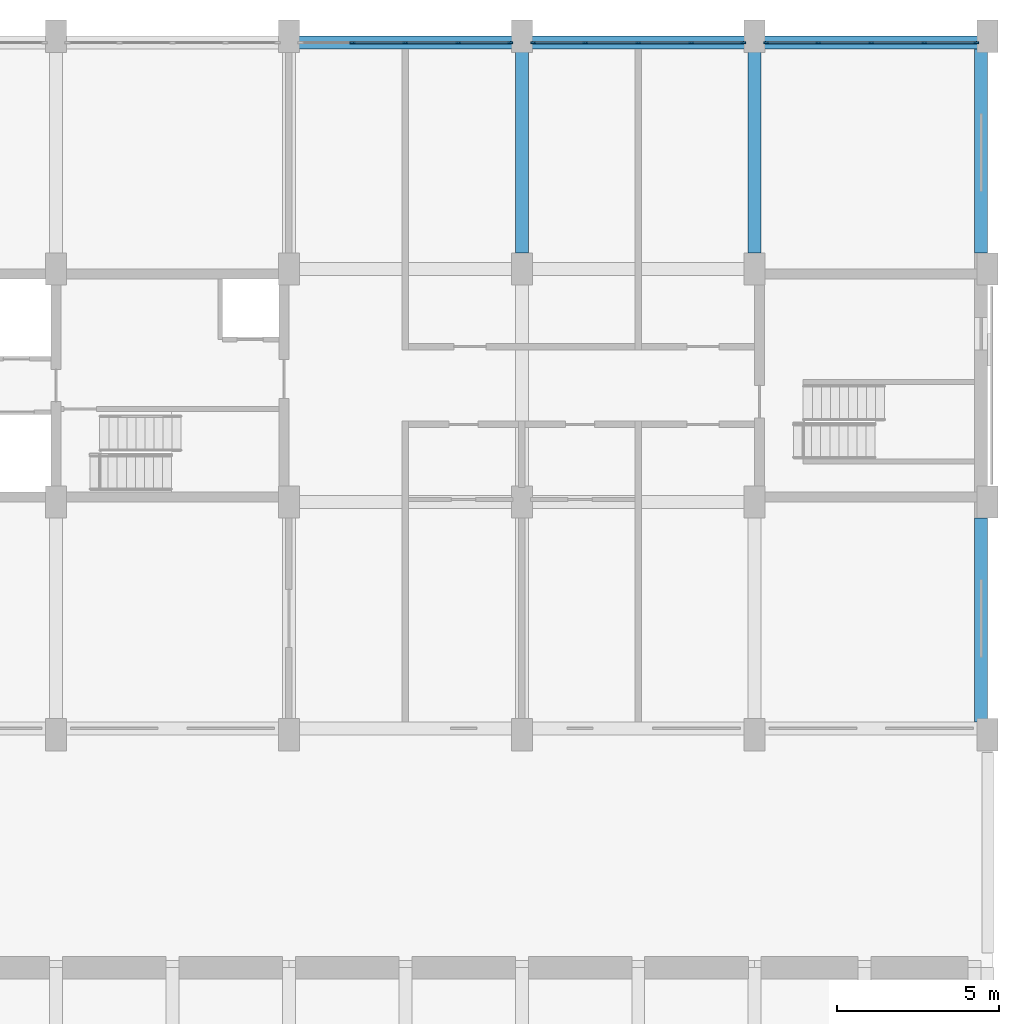
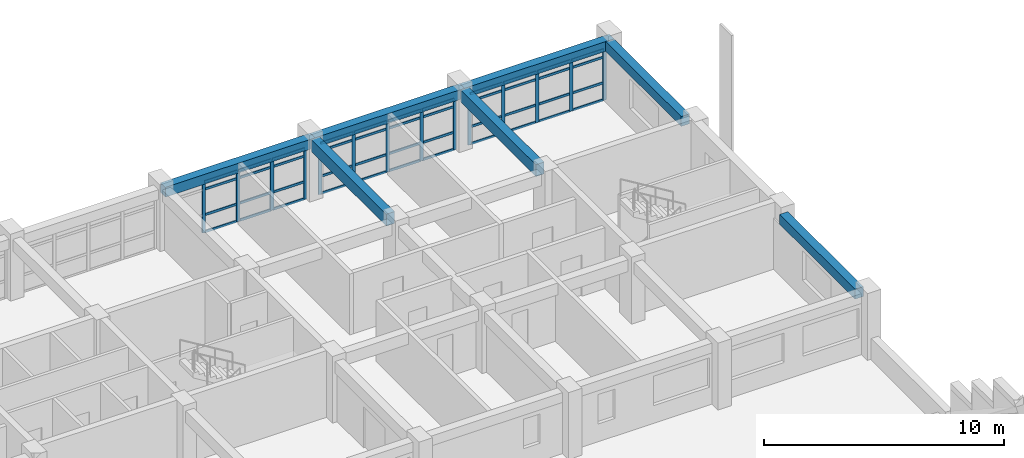
# One storey, part 14 of 31: 58 members, 7 beams, 3 elements without a shape of their own.
"""IFC4 building model written with IfcOpenShell, lengths in metres."""

from ifc_helpers import new_model, si_unit, direction, frame, origin, origin_2d, place, context, subcontext, project, spatial, rectangle, extrude, material, material_profile, profile_set, type_object, element, aggregate, save


model = new_model("IFC4")

# Units and contexts
model_context = context("Model", 3, precision=1e-05, world=origin(), true_north=direction((0.0, 1.0)))
body_context = subcontext(model_context, "Body", "Model", "MODEL_VIEW")
ifc_project = project(units=[si_unit("LENGTHUNIT", "METRE"), si_unit("AREAUNIT", "SQUARE_METRE"), si_unit("VOLUMEUNIT", "CUBIC_METRE"), si_unit("PLANEANGLEUNIT", "RADIAN"), si_unit("MASSUNIT", "GRAM", prefix="KILO")], contexts=[model_context])

# Site, building, storey
site_placement = place(None, origin())
site = spatial("IfcSite", under=ifc_project, at=site_placement, CompositionType="ELEMENT")
building_placement = place(site_placement, origin())
building = spatial("IfcBuilding", under=site, at=building_placement, Name="Vermilion Court Aquatics Centre", CompositionType="ELEMENT")
storey_placement = place(building_placement, frame((0.0, 0.0, 16.5)))
storey = spatial("IfcBuildingStorey", under=building, at=storey_placement, Name="L03", CompositionType="ELEMENT", Elevation=16.5)

# Curtain wall, members
ifc_material_1 = material(Name="Aluminium 6063-T5", Category="aluminium")
curtain_wall_type = type_object("IfcCurtainWallType", Name="North block glazed bay curtain wall 1800 module", PredefinedType="NOTDEFINED", material=ifc_material_1)
curtain_wall_1_placement = place(storey_placement, origin())
curtain_wall_1 = element("IfcCurtainWall", 1, at=curtain_wall_1_placement, inside=storey, type_object=curtain_wall_type, Name="North glazed bay 5 L03", PredefinedType="NOTDEFINED")
ifc_material_2 = material(Name="Aluminium 6063-T5", Category="aluminium")
ifc_material_profile_1 = material_profile(ifc_material_2, rectangle(XDim=0.06005859375, YDim=0.159912109375, at=origin_2d()), Name="AL 60x160")
ifc_profile_set_1 = profile_set([ifc_material_profile_1], Name="Aluminium 6063-T5")
member_type_1 = type_object("IfcMemberType", Name="North block curtain wall mullion 60x160", PredefinedType="MULLION", material=ifc_profile_set_1)
member_1_placement = place(storey_placement, frame((174.762451171875, 115.0, 0.0), z_axis=(0.0, 0.0, 1.0), x_axis=(0.0, 1.0, 0.0)))
member_1 = element("IfcMember", 2, at=member_1_placement, type_object=member_type_1, Name="UCW1 mullion 2", PredefinedType="MULLION", context=body_context, shape_type="SweptSolid", body=[
    extrude(rectangle(XDim=0.06005859375, YDim=0.159912109375, at=origin_2d()), origin(), (0.0, 0.0, 1.0), 2.60009765625),
])
member_2_placement = place(storey_placement, frame((176.39990234375, 115.0, 0.0), z_axis=(0.0, 0.0, 1.0), x_axis=(0.0, 1.0, 0.0)))
member_2 = element("IfcMember", 3, at=member_2_placement, type_object=member_type_1, Name="UCW1 mullion 3", PredefinedType="MULLION", context=body_context, shape_type="SweptSolid", body=[
    extrude(rectangle(XDim=0.06005859375, YDim=0.159912109375, at=origin_2d()), origin(), (0.0, 0.0, 1.0), 2.60009765625),
])
member_3_placement = place(storey_placement, frame((178.03759765625, 115.0, 0.0), z_axis=(0.0, 0.0, 1.0), x_axis=(0.0, 1.0, 0.0)))
member_3 = element("IfcMember", 4, at=member_3_placement, type_object=member_type_1, Name="UCW1 mullion 4", PredefinedType="MULLION", context=body_context, shape_type="SweptSolid", body=[
    extrude(rectangle(XDim=0.06005859375, YDim=0.159912109375, at=origin_2d()), origin(), (0.0, 0.0, 1.0), 2.60009765625),
])
member_4_placement = place(storey_placement, frame((179.64501953125, 115.0, 0.0), z_axis=(0.0, 0.0, 1.0), x_axis=(0.0, 1.0, 0.0)))
member_4 = element("IfcMember", 5, at=member_4_placement, type_object=member_type_1, Name="UCW1 mullion 5", PredefinedType="MULLION", context=body_context, shape_type="SweptSolid", body=[
    extrude(rectangle(XDim=0.06005859375, YDim=0.159912109375, at=origin_2d()), origin(), (0.0, 0.0, 1.0), 2.60009765625),
])

curtain_wall_2_placement = place(storey_placement, origin())
curtain_wall_2 = element("IfcCurtainWall", 6, at=curtain_wall_2_placement, inside=storey, type_object=curtain_wall_type, Name="North glazed bay 6 L03", PredefinedType="NOTDEFINED")
member_5_placement = place(storey_placement, frame((180.35498046875, 115.0, 0.0), z_axis=(0.0, 0.0, 1.0), x_axis=(0.0, 1.0, 0.0)))
member_5 = element("IfcMember", 7, at=member_5_placement, type_object=member_type_1, Name="UCW1 mullion 1", PredefinedType="MULLION", context=body_context, shape_type="SweptSolid", body=[
    extrude(rectangle(XDim=0.06005859375, YDim=0.159912109375, at=origin_2d()), origin(), (0.0, 0.0, 1.0), 2.60009765625),
])
member_6_placement = place(storey_placement, frame((181.96240234375, 115.0, 0.0), z_axis=(0.0, 0.0, 1.0), x_axis=(0.0, 1.0, 0.0)))
member_6 = element("IfcMember", 8, at=member_6_placement, type_object=member_type_1, Name="UCW1 mullion 2", PredefinedType="MULLION", context=body_context, shape_type="SweptSolid", body=[
    extrude(rectangle(XDim=0.06005859375, YDim=0.159912109375, at=origin_2d()), origin(), (0.0, 0.0, 1.0), 2.60009765625),
])
member_7_placement = place(storey_placement, frame((183.60009765625, 115.0, 0.0), z_axis=(0.0, 0.0, 1.0), x_axis=(0.0, 1.0, 0.0)))
member_7 = element("IfcMember", 9, at=member_7_placement, type_object=member_type_1, Name="UCW1 mullion 3", PredefinedType="MULLION", context=body_context, shape_type="SweptSolid", body=[
    extrude(rectangle(XDim=0.06005859375, YDim=0.159912109375, at=origin_2d()), origin(), (0.0, 0.0, 1.0), 2.60009765625),
])
member_8_placement = place(storey_placement, frame((185.237548828125, 115.0, 0.0), z_axis=(0.0, 0.0, 1.0), x_axis=(0.0, 1.0, 0.0)))
member_8 = element("IfcMember", 10, at=member_8_placement, type_object=member_type_1, Name="UCW1 mullion 4", PredefinedType="MULLION", context=body_context, shape_type="SweptSolid", body=[
    extrude(rectangle(XDim=0.06005859375, YDim=0.159912109375, at=origin_2d()), origin(), (0.0, 0.0, 1.0), 2.60009765625),
])
member_9_placement = place(storey_placement, frame((186.844970703125, 115.0, 0.0), z_axis=(0.0, 0.0, 1.0), x_axis=(0.0, 1.0, 0.0)))
member_9 = element("IfcMember", 11, at=member_9_placement, type_object=member_type_1, Name="UCW1 mullion 5", PredefinedType="MULLION", context=body_context, shape_type="SweptSolid", body=[
    extrude(rectangle(XDim=0.06005859375, YDim=0.159912109375, at=origin_2d()), origin(), (0.0, 0.0, 1.0), 2.60009765625),
])

curtain_wall_3_placement = place(storey_placement, origin())
curtain_wall_3 = element("IfcCurtainWall", 12, at=curtain_wall_3_placement, inside=storey, type_object=curtain_wall_type, Name="North glazed bay 7 L03", PredefinedType="NOTDEFINED")
member_10_placement = place(storey_placement, frame((187.554931640625, 115.0, 0.0), z_axis=(0.0, 0.0, 1.0), x_axis=(0.0, 1.0, 0.0)))
member_10 = element("IfcMember", 13, at=member_10_placement, type_object=member_type_1, Name="UCW1 mullion 1", PredefinedType="MULLION", context=body_context, shape_type="SweptSolid", body=[
    extrude(rectangle(XDim=0.06005859375, YDim=0.159912109375, at=origin_2d()), origin(), (0.0, 0.0, 1.0), 2.60009765625),
])
member_11_placement = place(storey_placement, frame((189.16259765625, 115.0, 0.0), z_axis=(0.0, 0.0, 1.0), x_axis=(0.0, 1.0, 0.0)))
member_11 = element("IfcMember", 14, at=member_11_placement, type_object=member_type_1, Name="UCW1 mullion 2", PredefinedType="MULLION", context=body_context, shape_type="SweptSolid", body=[
    extrude(rectangle(XDim=0.06005859375, YDim=0.159912109375, at=origin_2d()), origin(), (0.0, 0.0, 1.0), 2.60009765625),
])
member_12_placement = place(storey_placement, frame((190.800048828125, 115.0, 0.0), z_axis=(0.0, 0.0, 1.0), x_axis=(0.0, 1.0, 0.0)))
member_12 = element("IfcMember", 15, at=member_12_placement, type_object=member_type_1, Name="UCW1 mullion 3", PredefinedType="MULLION", context=body_context, shape_type="SweptSolid", body=[
    extrude(rectangle(XDim=0.06005859375, YDim=0.159912109375, at=origin_2d()), origin(), (0.0, 0.0, 1.0), 2.60009765625),
])
member_13_placement = place(storey_placement, frame((192.4375, 115.0, 0.0), z_axis=(0.0, 0.0, 1.0), x_axis=(0.0, 1.0, 0.0)))
member_13 = element("IfcMember", 16, at=member_13_placement, type_object=member_type_1, Name="UCW1 mullion 4", PredefinedType="MULLION", context=body_context, shape_type="SweptSolid", body=[
    extrude(rectangle(XDim=0.06005859375, YDim=0.159912109375, at=origin_2d()), origin(), (0.0, 0.0, 1.0), 2.60009765625),
])
member_14_placement = place(storey_placement, frame((194.044921875, 115.0, 0.0), z_axis=(0.0, 0.0, 1.0), x_axis=(0.0, 1.0, 0.0)))
member_14 = element("IfcMember", 17, at=member_14_placement, type_object=member_type_1, Name="UCW1 mullion 5", PredefinedType="MULLION", context=body_context, shape_type="SweptSolid", body=[
    extrude(rectangle(XDim=0.06005859375, YDim=0.159912109375, at=origin_2d()), origin(), (0.0, 0.0, 1.0), 2.60009765625),
])

# Member
ifc_material_3 = material(Name="Aluminium 6063-T5", Category="aluminium")
ifc_material_profile_2 = material_profile(ifc_material_3, rectangle(XDim=0.06005859375, YDim=0.1201171875, at=origin_2d()), Name="AL 60x120")
ifc_profile_set_2 = profile_set([ifc_material_profile_2], Name="Aluminium 6063-T5")
member_type_2 = type_object("IfcMemberType", Name="North block curtain wall transom 60x120", PredefinedType="USERDEFINED", material=ifc_profile_set_2)
member_15_placement = place(storey_placement, frame((174.79248046875, 115.0, 0.030029296875), z_axis=(1.0, 0.0, 0.0), x_axis=(0.0, 1.0, 0.0)))
member_15 = element("IfcMember", 18, at=member_15_placement, type_object=member_type_2, Name="UCW1 transom 2.1", ObjectType="TRANSOM", PredefinedType="USERDEFINED", context=body_context, shape_type="SweptSolid", body=[
    extrude(rectangle(XDim=0.06005859375, YDim=0.1201171875, at=origin_2d()), origin(), (0.0, 0.0, 1.0), 1.57763671875),
])

member_16_placement = place(storey_placement, frame((174.79248046875, 115.0, 0.89990234375), z_axis=(1.0, 0.0, 0.0), x_axis=(0.0, 1.0, 0.0)))
member_16 = element("IfcMember", 19, at=member_16_placement, type_object=member_type_2, Name="UCW1 transom 2.2", ObjectType="TRANSOM", PredefinedType="USERDEFINED", context=body_context, shape_type="SweptSolid", body=[
    extrude(rectangle(XDim=0.06005859375, YDim=0.1201171875, at=origin_2d()), origin(), (0.0, 0.0, 1.0), 1.57763671875),
])

member_17_placement = place(storey_placement, frame((174.79248046875, 115.0, 2.199951171875), z_axis=(1.0, 0.0, 0.0), x_axis=(0.0, 1.0, 0.0)))
member_17 = element("IfcMember", 20, at=member_17_placement, type_object=member_type_2, Name="UCW1 transom 2.3", ObjectType="TRANSOM", PredefinedType="USERDEFINED", context=body_context, shape_type="SweptSolid", body=[
    extrude(rectangle(XDim=0.06005859375, YDim=0.1201171875, at=origin_2d()), origin(), (0.0, 0.0, 1.0), 1.57763671875),
])

member_18_placement = place(storey_placement, frame((174.79248046875, 115.0, 2.570068359375), z_axis=(1.0, 0.0, 0.0), x_axis=(0.0, 1.0, 0.0)))
member_18 = element("IfcMember", 21, at=member_18_placement, type_object=member_type_2, Name="UCW1 transom 2.4", ObjectType="TRANSOM", PredefinedType="USERDEFINED", context=body_context, shape_type="SweptSolid", body=[
    extrude(rectangle(XDim=0.06005859375, YDim=0.1201171875, at=origin_2d()), origin(), (0.0, 0.0, 1.0), 1.57763671875),
])

member_19_placement = place(storey_placement, frame((176.429931640625, 115.0, 0.030029296875), z_axis=(1.0, 0.0, 0.0), x_axis=(0.0, 1.0, 0.0)))
member_19 = element("IfcMember", 22, at=member_19_placement, type_object=member_type_2, Name="UCW1 transom 3.1", ObjectType="TRANSOM", PredefinedType="USERDEFINED", context=body_context, shape_type="SweptSolid", body=[
    extrude(rectangle(XDim=0.06005859375, YDim=0.1201171875, at=origin_2d()), origin(), (0.0, 0.0, 1.0), 1.57763671875),
])

member_20_placement = place(storey_placement, frame((176.429931640625, 115.0, 0.89990234375), z_axis=(1.0, 0.0, 0.0), x_axis=(0.0, 1.0, 0.0)))
member_20 = element("IfcMember", 23, at=member_20_placement, type_object=member_type_2, Name="UCW1 transom 3.2", ObjectType="TRANSOM", PredefinedType="USERDEFINED", context=body_context, shape_type="SweptSolid", body=[
    extrude(rectangle(XDim=0.06005859375, YDim=0.1201171875, at=origin_2d()), origin(), (0.0, 0.0, 1.0), 1.57763671875),
])

member_21_placement = place(storey_placement, frame((176.429931640625, 115.0, 2.199951171875), z_axis=(1.0, 0.0, 0.0), x_axis=(0.0, 1.0, 0.0)))
member_21 = element("IfcMember", 24, at=member_21_placement, type_object=member_type_2, Name="UCW1 transom 3.3", ObjectType="TRANSOM", PredefinedType="USERDEFINED", context=body_context, shape_type="SweptSolid", body=[
    extrude(rectangle(XDim=0.06005859375, YDim=0.1201171875, at=origin_2d()), origin(), (0.0, 0.0, 1.0), 1.57763671875),
])

member_22_placement = place(storey_placement, frame((176.429931640625, 115.0, 2.570068359375), z_axis=(1.0, 0.0, 0.0), x_axis=(0.0, 1.0, 0.0)))
member_22 = element("IfcMember", 25, at=member_22_placement, type_object=member_type_2, Name="UCW1 transom 3.4", ObjectType="TRANSOM", PredefinedType="USERDEFINED", context=body_context, shape_type="SweptSolid", body=[
    extrude(rectangle(XDim=0.06005859375, YDim=0.1201171875, at=origin_2d()), origin(), (0.0, 0.0, 1.0), 1.57763671875),
])

member_23_placement = place(storey_placement, frame((178.0673828125, 115.0, 0.030029296875), z_axis=(1.0, 0.0, 0.0), x_axis=(0.0, 1.0, 0.0)))
member_23 = element("IfcMember", 26, at=member_23_placement, type_object=member_type_2, Name="UCW1 transom 4.1", ObjectType="TRANSOM", PredefinedType="USERDEFINED", context=body_context, shape_type="SweptSolid", body=[
    extrude(rectangle(XDim=0.06005859375, YDim=0.1201171875, at=origin_2d()), origin(), (0.0, 0.0, 1.0), 1.547607421875),
])

member_24_placement = place(storey_placement, frame((178.0673828125, 115.0, 0.89990234375), z_axis=(1.0, 0.0, 0.0), x_axis=(0.0, 1.0, 0.0)))
member_24 = element("IfcMember", 27, at=member_24_placement, type_object=member_type_2, Name="UCW1 transom 4.2", ObjectType="TRANSOM", PredefinedType="USERDEFINED", context=body_context, shape_type="SweptSolid", body=[
    extrude(rectangle(XDim=0.06005859375, YDim=0.1201171875, at=origin_2d()), origin(), (0.0, 0.0, 1.0), 1.547607421875),
])

member_25_placement = place(storey_placement, frame((178.0673828125, 115.0, 2.199951171875), z_axis=(1.0, 0.0, 0.0), x_axis=(0.0, 1.0, 0.0)))
member_25 = element("IfcMember", 28, at=member_25_placement, type_object=member_type_2, Name="UCW1 transom 4.3", ObjectType="TRANSOM", PredefinedType="USERDEFINED", context=body_context, shape_type="SweptSolid", body=[
    extrude(rectangle(XDim=0.06005859375, YDim=0.1201171875, at=origin_2d()), origin(), (0.0, 0.0, 1.0), 1.547607421875),
])

member_26_placement = place(storey_placement, frame((178.0673828125, 115.0, 2.570068359375), z_axis=(1.0, 0.0, 0.0), x_axis=(0.0, 1.0, 0.0)))
member_26 = element("IfcMember", 29, at=member_26_placement, type_object=member_type_2, Name="UCW1 transom 4.4", ObjectType="TRANSOM", PredefinedType="USERDEFINED", context=body_context, shape_type="SweptSolid", body=[
    extrude(rectangle(XDim=0.06005859375, YDim=0.1201171875, at=origin_2d()), origin(), (0.0, 0.0, 1.0), 1.547607421875),
])

aggregate(curtain_wall_1, [member_1, member_2, member_3, member_4, member_15, member_16, member_17, member_18, member_19, member_20, member_21, member_22, member_23, member_24, member_25, member_26])

member_27_placement = place(storey_placement, frame((180.385009765625, 115.0, 0.030029296875), z_axis=(1.0, 0.0, 0.0), x_axis=(0.0, 1.0, 0.0)))
member_27 = element("IfcMember", 30, at=member_27_placement, type_object=member_type_2, Name="UCW1 transom 1.1", ObjectType="TRANSOM", PredefinedType="USERDEFINED", context=body_context, shape_type="SweptSolid", body=[
    extrude(rectangle(XDim=0.06005859375, YDim=0.1201171875, at=origin_2d()), origin(), (0.0, 0.0, 1.0), 1.547607421875),
])

member_28_placement = place(storey_placement, frame((180.385009765625, 115.0, 0.89990234375), z_axis=(1.0, 0.0, 0.0), x_axis=(0.0, 1.0, 0.0)))
member_28 = element("IfcMember", 31, at=member_28_placement, type_object=member_type_2, Name="UCW1 transom 1.2", ObjectType="TRANSOM", PredefinedType="USERDEFINED", context=body_context, shape_type="SweptSolid", body=[
    extrude(rectangle(XDim=0.06005859375, YDim=0.1201171875, at=origin_2d()), origin(), (0.0, 0.0, 1.0), 1.547607421875),
])

member_29_placement = place(storey_placement, frame((180.385009765625, 115.0, 2.199951171875), z_axis=(1.0, 0.0, 0.0), x_axis=(0.0, 1.0, 0.0)))
member_29 = element("IfcMember", 32, at=member_29_placement, type_object=member_type_2, Name="UCW1 transom 1.3", ObjectType="TRANSOM", PredefinedType="USERDEFINED", context=body_context, shape_type="SweptSolid", body=[
    extrude(rectangle(XDim=0.06005859375, YDim=0.1201171875, at=origin_2d()), origin(), (0.0, 0.0, 1.0), 1.547607421875),
])

member_30_placement = place(storey_placement, frame((180.385009765625, 115.0, 2.570068359375), z_axis=(1.0, 0.0, 0.0), x_axis=(0.0, 1.0, 0.0)))
member_30 = element("IfcMember", 33, at=member_30_placement, type_object=member_type_2, Name="UCW1 transom 1.4", ObjectType="TRANSOM", PredefinedType="USERDEFINED", context=body_context, shape_type="SweptSolid", body=[
    extrude(rectangle(XDim=0.06005859375, YDim=0.1201171875, at=origin_2d()), origin(), (0.0, 0.0, 1.0), 1.547607421875),
])

member_31_placement = place(storey_placement, frame((181.992431640625, 115.0, 0.030029296875), z_axis=(1.0, 0.0, 0.0), x_axis=(0.0, 1.0, 0.0)))
member_31 = element("IfcMember", 34, at=member_31_placement, type_object=member_type_2, Name="UCW1 transom 2.1", ObjectType="TRANSOM", PredefinedType="USERDEFINED", context=body_context, shape_type="SweptSolid", body=[
    extrude(rectangle(XDim=0.06005859375, YDim=0.1201171875, at=origin_2d()), origin(), (0.0, 0.0, 1.0), 1.57763671875),
])

member_32_placement = place(storey_placement, frame((181.992431640625, 115.0, 0.89990234375), z_axis=(1.0, 0.0, 0.0), x_axis=(0.0, 1.0, 0.0)))
member_32 = element("IfcMember", 35, at=member_32_placement, type_object=member_type_2, Name="UCW1 transom 2.2", ObjectType="TRANSOM", PredefinedType="USERDEFINED", context=body_context, shape_type="SweptSolid", body=[
    extrude(rectangle(XDim=0.06005859375, YDim=0.1201171875, at=origin_2d()), origin(), (0.0, 0.0, 1.0), 1.57763671875),
])

member_33_placement = place(storey_placement, frame((181.992431640625, 115.0, 2.199951171875), z_axis=(1.0, 0.0, 0.0), x_axis=(0.0, 1.0, 0.0)))
member_33 = element("IfcMember", 36, at=member_33_placement, type_object=member_type_2, Name="UCW1 transom 2.3", ObjectType="TRANSOM", PredefinedType="USERDEFINED", context=body_context, shape_type="SweptSolid", body=[
    extrude(rectangle(XDim=0.06005859375, YDim=0.1201171875, at=origin_2d()), origin(), (0.0, 0.0, 1.0), 1.57763671875),
])

member_34_placement = place(storey_placement, frame((181.992431640625, 115.0, 2.570068359375), z_axis=(1.0, 0.0, 0.0), x_axis=(0.0, 1.0, 0.0)))
member_34 = element("IfcMember", 37, at=member_34_placement, type_object=member_type_2, Name="UCW1 transom 2.4", ObjectType="TRANSOM", PredefinedType="USERDEFINED", context=body_context, shape_type="SweptSolid", body=[
    extrude(rectangle(XDim=0.06005859375, YDim=0.1201171875, at=origin_2d()), origin(), (0.0, 0.0, 1.0), 1.57763671875),
])

member_35_placement = place(storey_placement, frame((183.6298828125, 115.0, 0.030029296875), z_axis=(1.0, 0.0, 0.0), x_axis=(0.0, 1.0, 0.0)))
member_35 = element("IfcMember", 38, at=member_35_placement, type_object=member_type_2, Name="UCW1 transom 3.1", ObjectType="TRANSOM", PredefinedType="USERDEFINED", context=body_context, shape_type="SweptSolid", body=[
    extrude(rectangle(XDim=0.06005859375, YDim=0.1201171875, at=origin_2d()), origin(), (0.0, 0.0, 1.0), 1.57763671875),
])

member_36_placement = place(storey_placement, frame((183.6298828125, 115.0, 0.89990234375), z_axis=(1.0, 0.0, 0.0), x_axis=(0.0, 1.0, 0.0)))
member_36 = element("IfcMember", 39, at=member_36_placement, type_object=member_type_2, Name="UCW1 transom 3.2", ObjectType="TRANSOM", PredefinedType="USERDEFINED", context=body_context, shape_type="SweptSolid", body=[
    extrude(rectangle(XDim=0.06005859375, YDim=0.1201171875, at=origin_2d()), origin(), (0.0, 0.0, 1.0), 1.57763671875),
])

member_37_placement = place(storey_placement, frame((183.6298828125, 115.0, 2.199951171875), z_axis=(1.0, 0.0, 0.0), x_axis=(0.0, 1.0, 0.0)))
member_37 = element("IfcMember", 40, at=member_37_placement, type_object=member_type_2, Name="UCW1 transom 3.3", ObjectType="TRANSOM", PredefinedType="USERDEFINED", context=body_context, shape_type="SweptSolid", body=[
    extrude(rectangle(XDim=0.06005859375, YDim=0.1201171875, at=origin_2d()), origin(), (0.0, 0.0, 1.0), 1.57763671875),
])

member_38_placement = place(storey_placement, frame((183.6298828125, 115.0, 2.570068359375), z_axis=(1.0, 0.0, 0.0), x_axis=(0.0, 1.0, 0.0)))
member_38 = element("IfcMember", 41, at=member_38_placement, type_object=member_type_2, Name="UCW1 transom 3.4", ObjectType="TRANSOM", PredefinedType="USERDEFINED", context=body_context, shape_type="SweptSolid", body=[
    extrude(rectangle(XDim=0.06005859375, YDim=0.1201171875, at=origin_2d()), origin(), (0.0, 0.0, 1.0), 1.57763671875),
])

member_39_placement = place(storey_placement, frame((185.267578125, 115.0, 0.030029296875), z_axis=(1.0, 0.0, 0.0), x_axis=(0.0, 1.0, 0.0)))
member_39 = element("IfcMember", 42, at=member_39_placement, type_object=member_type_2, Name="UCW1 transom 4.1", ObjectType="TRANSOM", PredefinedType="USERDEFINED", context=body_context, shape_type="SweptSolid", body=[
    extrude(rectangle(XDim=0.06005859375, YDim=0.1201171875, at=origin_2d()), origin(), (0.0, 0.0, 1.0), 1.54736328125),
])

member_40_placement = place(storey_placement, frame((185.267578125, 115.0, 0.89990234375), z_axis=(1.0, 0.0, 0.0), x_axis=(0.0, 1.0, 0.0)))
member_40 = element("IfcMember", 43, at=member_40_placement, type_object=member_type_2, Name="UCW1 transom 4.2", ObjectType="TRANSOM", PredefinedType="USERDEFINED", context=body_context, shape_type="SweptSolid", body=[
    extrude(rectangle(XDim=0.06005859375, YDim=0.1201171875, at=origin_2d()), origin(), (0.0, 0.0, 1.0), 1.54736328125),
])

member_41_placement = place(storey_placement, frame((185.267578125, 115.0, 2.199951171875), z_axis=(1.0, 0.0, 0.0), x_axis=(0.0, 1.0, 0.0)))
member_41 = element("IfcMember", 44, at=member_41_placement, type_object=member_type_2, Name="UCW1 transom 4.3", ObjectType="TRANSOM", PredefinedType="USERDEFINED", context=body_context, shape_type="SweptSolid", body=[
    extrude(rectangle(XDim=0.06005859375, YDim=0.1201171875, at=origin_2d()), origin(), (0.0, 0.0, 1.0), 1.54736328125),
])

member_42_placement = place(storey_placement, frame((185.267578125, 115.0, 2.570068359375), z_axis=(1.0, 0.0, 0.0), x_axis=(0.0, 1.0, 0.0)))
member_42 = element("IfcMember", 45, at=member_42_placement, type_object=member_type_2, Name="UCW1 transom 4.4", ObjectType="TRANSOM", PredefinedType="USERDEFINED", context=body_context, shape_type="SweptSolid", body=[
    extrude(rectangle(XDim=0.06005859375, YDim=0.1201171875, at=origin_2d()), origin(), (0.0, 0.0, 1.0), 1.54736328125),
])

aggregate(curtain_wall_2, [member_5, member_6, member_7, member_8, member_9, member_27, member_28, member_29, member_30, member_31, member_32, member_33, member_34, member_35, member_36, member_37, member_38, member_39, member_40, member_41, member_42])

member_43_placement = place(storey_placement, frame((187.5849609375, 115.0, 0.030029296875), z_axis=(1.0, 0.0, 0.0), x_axis=(0.0, 1.0, 0.0)))
member_43 = element("IfcMember", 46, at=member_43_placement, type_object=member_type_2, Name="UCW1 transom 1.1", ObjectType="TRANSOM", PredefinedType="USERDEFINED", context=body_context, shape_type="SweptSolid", body=[
    extrude(rectangle(XDim=0.06005859375, YDim=0.1201171875, at=origin_2d()), origin(), (0.0, 0.0, 1.0), 1.547607421875),
])

member_44_placement = place(storey_placement, frame((187.5849609375, 115.0, 0.89990234375), z_axis=(1.0, 0.0, 0.0), x_axis=(0.0, 1.0, 0.0)))
member_44 = element("IfcMember", 47, at=member_44_placement, type_object=member_type_2, Name="UCW1 transom 1.2", ObjectType="TRANSOM", PredefinedType="USERDEFINED", context=body_context, shape_type="SweptSolid", body=[
    extrude(rectangle(XDim=0.06005859375, YDim=0.1201171875, at=origin_2d()), origin(), (0.0, 0.0, 1.0), 1.547607421875),
])

member_45_placement = place(storey_placement, frame((187.5849609375, 115.0, 2.199951171875), z_axis=(1.0, 0.0, 0.0), x_axis=(0.0, 1.0, 0.0)))
member_45 = element("IfcMember", 48, at=member_45_placement, type_object=member_type_2, Name="UCW1 transom 1.3", ObjectType="TRANSOM", PredefinedType="USERDEFINED", context=body_context, shape_type="SweptSolid", body=[
    extrude(rectangle(XDim=0.06005859375, YDim=0.1201171875, at=origin_2d()), origin(), (0.0, 0.0, 1.0), 1.547607421875),
])

member_46_placement = place(storey_placement, frame((187.5849609375, 115.0, 2.570068359375), z_axis=(1.0, 0.0, 0.0), x_axis=(0.0, 1.0, 0.0)))
member_46 = element("IfcMember", 49, at=member_46_placement, type_object=member_type_2, Name="UCW1 transom 1.4", ObjectType="TRANSOM", PredefinedType="USERDEFINED", context=body_context, shape_type="SweptSolid", body=[
    extrude(rectangle(XDim=0.06005859375, YDim=0.1201171875, at=origin_2d()), origin(), (0.0, 0.0, 1.0), 1.547607421875),
])

member_47_placement = place(storey_placement, frame((189.1923828125, 115.0, 0.030029296875), z_axis=(1.0, 0.0, 0.0), x_axis=(0.0, 1.0, 0.0)))
member_47 = element("IfcMember", 50, at=member_47_placement, type_object=member_type_2, Name="UCW1 transom 2.1", ObjectType="TRANSOM", PredefinedType="USERDEFINED", context=body_context, shape_type="SweptSolid", body=[
    extrude(rectangle(XDim=0.06005859375, YDim=0.1201171875, at=origin_2d()), origin(), (0.0, 0.0, 1.0), 1.57763671875),
])

member_48_placement = place(storey_placement, frame((189.1923828125, 115.0, 0.89990234375), z_axis=(1.0, 0.0, 0.0), x_axis=(0.0, 1.0, 0.0)))
member_48 = element("IfcMember", 51, at=member_48_placement, type_object=member_type_2, Name="UCW1 transom 2.2", ObjectType="TRANSOM", PredefinedType="USERDEFINED", context=body_context, shape_type="SweptSolid", body=[
    extrude(rectangle(XDim=0.06005859375, YDim=0.1201171875, at=origin_2d()), origin(), (0.0, 0.0, 1.0), 1.57763671875),
])

member_49_placement = place(storey_placement, frame((189.1923828125, 115.0, 2.199951171875), z_axis=(1.0, 0.0, 0.0), x_axis=(0.0, 1.0, 0.0)))
member_49 = element("IfcMember", 52, at=member_49_placement, type_object=member_type_2, Name="UCW1 transom 2.3", ObjectType="TRANSOM", PredefinedType="USERDEFINED", context=body_context, shape_type="SweptSolid", body=[
    extrude(rectangle(XDim=0.06005859375, YDim=0.1201171875, at=origin_2d()), origin(), (0.0, 0.0, 1.0), 1.57763671875),
])

member_50_placement = place(storey_placement, frame((189.1923828125, 115.0, 2.570068359375), z_axis=(1.0, 0.0, 0.0), x_axis=(0.0, 1.0, 0.0)))
member_50 = element("IfcMember", 53, at=member_50_placement, type_object=member_type_2, Name="UCW1 transom 2.4", ObjectType="TRANSOM", PredefinedType="USERDEFINED", context=body_context, shape_type="SweptSolid", body=[
    extrude(rectangle(XDim=0.06005859375, YDim=0.1201171875, at=origin_2d()), origin(), (0.0, 0.0, 1.0), 1.57763671875),
])

member_51_placement = place(storey_placement, frame((190.830078125, 115.0, 0.030029296875), z_axis=(1.0, 0.0, 0.0), x_axis=(0.0, 1.0, 0.0)))
member_51 = element("IfcMember", 54, at=member_51_placement, type_object=member_type_2, Name="UCW1 transom 3.1", ObjectType="TRANSOM", PredefinedType="USERDEFINED", context=body_context, shape_type="SweptSolid", body=[
    extrude(rectangle(XDim=0.06005859375, YDim=0.1201171875, at=origin_2d()), origin(), (0.0, 0.0, 1.0), 1.577392578125),
])

member_52_placement = place(storey_placement, frame((190.830078125, 115.0, 0.89990234375), z_axis=(1.0, 0.0, 0.0), x_axis=(0.0, 1.0, 0.0)))
member_52 = element("IfcMember", 55, at=member_52_placement, type_object=member_type_2, Name="UCW1 transom 3.2", ObjectType="TRANSOM", PredefinedType="USERDEFINED", context=body_context, shape_type="SweptSolid", body=[
    extrude(rectangle(XDim=0.06005859375, YDim=0.1201171875, at=origin_2d()), origin(), (0.0, 0.0, 1.0), 1.577392578125),
])

member_53_placement = place(storey_placement, frame((190.830078125, 115.0, 2.199951171875), z_axis=(1.0, 0.0, 0.0), x_axis=(0.0, 1.0, 0.0)))
member_53 = element("IfcMember", 56, at=member_53_placement, type_object=member_type_2, Name="UCW1 transom 3.3", ObjectType="TRANSOM", PredefinedType="USERDEFINED", context=body_context, shape_type="SweptSolid", body=[
    extrude(rectangle(XDim=0.06005859375, YDim=0.1201171875, at=origin_2d()), origin(), (0.0, 0.0, 1.0), 1.577392578125),
])

member_54_placement = place(storey_placement, frame((190.830078125, 115.0, 2.570068359375), z_axis=(1.0, 0.0, 0.0), x_axis=(0.0, 1.0, 0.0)))
member_54 = element("IfcMember", 57, at=member_54_placement, type_object=member_type_2, Name="UCW1 transom 3.4", ObjectType="TRANSOM", PredefinedType="USERDEFINED", context=body_context, shape_type="SweptSolid", body=[
    extrude(rectangle(XDim=0.06005859375, YDim=0.1201171875, at=origin_2d()), origin(), (0.0, 0.0, 1.0), 1.577392578125),
])

member_55_placement = place(storey_placement, frame((192.467529296875, 115.0, 0.030029296875), z_axis=(1.0, 0.0, 0.0), x_axis=(0.0, 1.0, 0.0)))
member_55 = element("IfcMember", 58, at=member_55_placement, type_object=member_type_2, Name="UCW1 transom 4.1", ObjectType="TRANSOM", PredefinedType="USERDEFINED", context=body_context, shape_type="SweptSolid", body=[
    extrude(rectangle(XDim=0.06005859375, YDim=0.1201171875, at=origin_2d()), origin(), (0.0, 0.0, 1.0), 1.54736328125),
])

member_56_placement = place(storey_placement, frame((192.467529296875, 115.0, 0.89990234375), z_axis=(1.0, 0.0, 0.0), x_axis=(0.0, 1.0, 0.0)))
member_56 = element("IfcMember", 59, at=member_56_placement, type_object=member_type_2, Name="UCW1 transom 4.2", ObjectType="TRANSOM", PredefinedType="USERDEFINED", context=body_context, shape_type="SweptSolid", body=[
    extrude(rectangle(XDim=0.06005859375, YDim=0.1201171875, at=origin_2d()), origin(), (0.0, 0.0, 1.0), 1.54736328125),
])

member_57_placement = place(storey_placement, frame((192.467529296875, 115.0, 2.199951171875), z_axis=(1.0, 0.0, 0.0), x_axis=(0.0, 1.0, 0.0)))
member_57 = element("IfcMember", 60, at=member_57_placement, type_object=member_type_2, Name="UCW1 transom 4.3", ObjectType="TRANSOM", PredefinedType="USERDEFINED", context=body_context, shape_type="SweptSolid", body=[
    extrude(rectangle(XDim=0.06005859375, YDim=0.1201171875, at=origin_2d()), origin(), (0.0, 0.0, 1.0), 1.54736328125),
])

member_58_placement = place(storey_placement, frame((192.467529296875, 115.0, 2.570068359375), z_axis=(1.0, 0.0, 0.0), x_axis=(0.0, 1.0, 0.0)))
member_58 = element("IfcMember", 61, at=member_58_placement, type_object=member_type_2, Name="UCW1 transom 4.4", ObjectType="TRANSOM", PredefinedType="USERDEFINED", context=body_context, shape_type="SweptSolid", body=[
    extrude(rectangle(XDim=0.06005859375, YDim=0.1201171875, at=origin_2d()), origin(), (0.0, 0.0, 1.0), 1.54736328125),
])

aggregate(curtain_wall_3, [member_10, member_11, member_12, member_13, member_14, member_43, member_44, member_45, member_46, member_47, member_48, member_49, member_50, member_51, member_52, member_53, member_54, member_55, member_56, member_57, member_58])

# Beams
ifc_material_4 = material(Name="Concrete 6000 psi", Category="concrete")
ifc_material_profile_3 = material_profile(ifc_material_4, rectangle(XDim=0.39990234375, YDim=0.60009765625, at=origin_2d()), Name="RC 400x600")
ifc_profile_set_3 = profile_set([ifc_material_profile_3], Name="Concrete 6000 psi")
beam_type_1 = type_object("IfcBeamType", Name="North block floor girder 400x600", PredefinedType="BEAM", material=ifc_profile_set_3)
for number, where, z_axis, x_axis, name in (
    (62, (180.0, 108.5, 2.800048828125), (0.0, 1.0, 0.0), (-1.0, 0.0, 0.0), "Floor beam L04 y180"),
    (63, (187.199951171875, 108.5, 2.800048828125), (0.0, 1.0, 0.0), (-1.0, 0.0, 0.0), "Floor beam L04 y187.2"),
):
    element("IfcBeam", number, at=place(storey_placement, frame(where, z_axis=z_axis, x_axis=x_axis)), inside=storey, type_object=beam_type_1, Name=name, PredefinedType="BEAM", context=body_context, shape_type="SweptSolid", body=[
        extrude(rectangle(XDim=0.39990234375, YDim=0.60009765625, at=origin_2d()), origin(), (0.0, 0.0, 1.0), 6.300048828125),
    ])
ifc_material_5 = material(Name="Concrete 6000 psi", Category="concrete")
ifc_material_profile_4 = material_profile(ifc_material_5, rectangle(XDim=0.39990234375, YDim=0.5, at=origin_2d()), Name="RC 400x500")
ifc_profile_set_4 = profile_set([ifc_material_profile_4], Name="Concrete 6000 psi")
beam_type_2 = type_object("IfcBeamType", Name="North block spandrel beam 400x500", PredefinedType="BEAM", material=ifc_profile_set_4)
for number, where, z_axis, x_axis, name in (
    (64, (172.800048828125, 115.0, 2.85009765625), (1.0, 0.0, 0.0), (0.0, 1.0, 0.0), "Spandrel beam L04 x115.2"),
    (65, (180.0, 115.0, 2.85009765625), (1.0, 0.0, 0.0), (0.0, 1.0, 0.0), "Spandrel beam L04 x115.2"),
    (66, (187.199951171875, 115.0, 2.85009765625), (1.0, 0.0, 0.0), (0.0, 1.0, 0.0), "Spandrel beam L04 x115.2"),
):
    element("IfcBeam", number, at=place(storey_placement, frame(where, z_axis=z_axis, x_axis=x_axis)), inside=storey, type_object=beam_type_2, Name=name, PredefinedType="BEAM", context=body_context, shape_type="SweptSolid", body=[
        extrude(rectangle(XDim=0.39990234375, YDim=0.5, at=origin_2d()), origin(), (0.0, 0.0, 1.0), 7.199951171875),
    ])
for number, where, z_axis, x_axis, name in (
    (67, (194.199951171875, 94.0, 2.85009765625), (0.0, 1.0, 0.0), (-1.0, 0.0, 0.0), "Spandrel beam L04 y194.2"),
    (68, (194.199951171875, 108.5, 2.85009765625), (0.0, 1.0, 0.0), (-1.0, 0.0, 0.0), "Spandrel beam L04 y194.2"),
):
    element("IfcBeam", number, at=place(storey_placement, frame(where, z_axis=z_axis, x_axis=x_axis)), inside=storey, type_object=beam_type_2, Name=name, PredefinedType="BEAM", context=body_context, shape_type="SweptSolid", body=[
        extrude(rectangle(XDim=0.39990234375, YDim=0.5, at=origin_2d()), origin(), (0.0, 0.0, 1.0), 6.300048828125),
    ])

save(model, "model.ifc")
